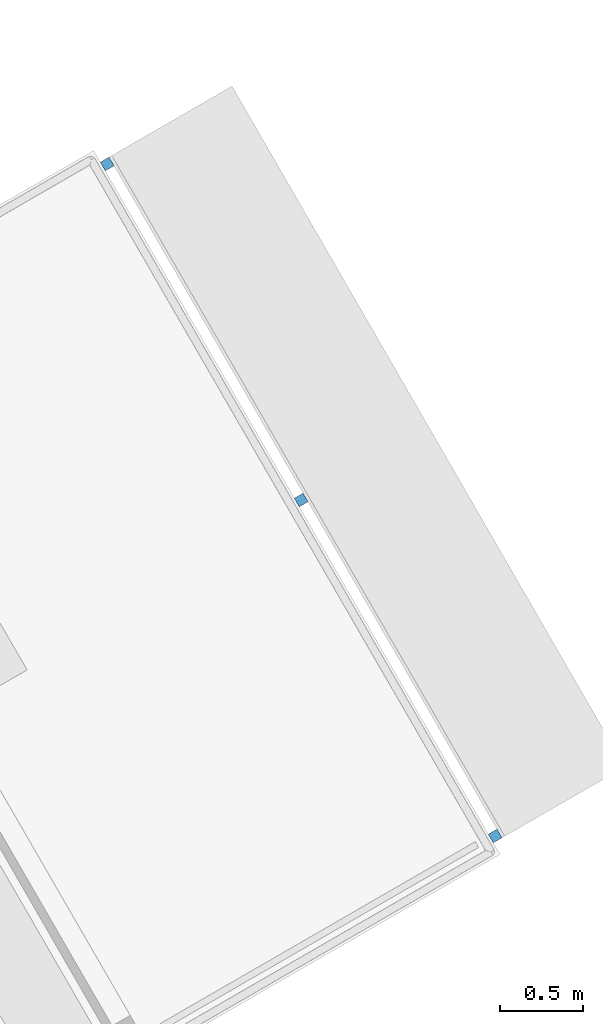
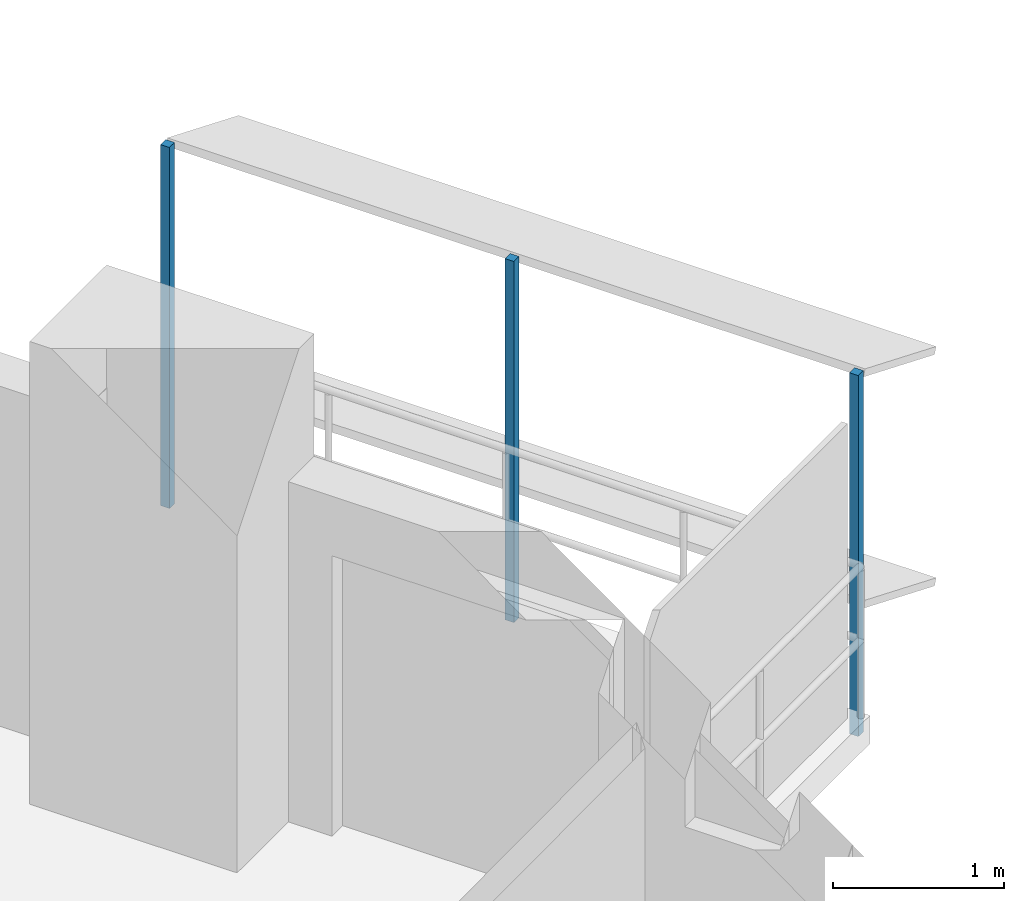
# One storey, part 10 of 13: 3 discrete accessories.
"""IFC4 building model written with IfcOpenShell, lengths in metres."""

from ifc_helpers import new_model, si_unit, direction, frame, origin, origin_2d, place, context, subcontext, project, spatial, rectangle, extrude, material, type_object, element, save


model = new_model("IFC4")

# Units and contexts
model_context = context("Model", 3, precision=1e-05, world=origin(), true_north=direction((0.0, 1.0)))
body_context = subcontext(model_context, "Body", "Model", "MODEL_VIEW")
ifc_project = project(units=[si_unit("LENGTHUNIT", "METRE"), si_unit("AREAUNIT", "SQUARE_METRE"), si_unit("VOLUMEUNIT", "CUBIC_METRE"), si_unit("PLANEANGLEUNIT", "RADIAN"), si_unit("MASSUNIT", "GRAM", prefix="KILO")], contexts=[model_context])

# Site, building, storey
site_placement = place(None, origin())
site = spatial("IfcSite", under=ifc_project, at=site_placement, CompositionType="ELEMENT")
building_placement = place(site_placement, origin())
building = spatial("IfcBuilding", under=site, at=building_placement, Name="Nakaniwa Court", CompositionType="ELEMENT")
storey_placement = place(building_placement, frame((0.0, 0.0, 84.300048828125)))
storey = spatial("IfcBuildingStorey", under=building, at=storey_placement, Name="L21", CompositionType="ELEMENT", Elevation=84.300048828125)

# Discrete accessories
ifc_material = material(Name="Black powder-coated steel bracket S275", Category="steel")
discrete_accessory_type = type_object("IfcDiscreteAccessoryType", Name="Black metal louvre bracket", PredefinedType="BRACKET", material=ifc_material)
for number, where, z_axis, x_axis, name in (
    (1, (104.280029296875, 90.8056640625, -0.22998046875), (0.0, 0.0, 1.0), (-0.499974304289, 0.866040238702, 0.0), "L21 louvre bracket 01 1"),
    (2, (103.118408203125, 92.817626953125, -0.22998046875), (0.0, 0.0, 1.0), (-0.499974304289, 0.866040238702, 0.0), "L21 louvre bracket 01 2"),
    (3, (101.956787109375, 94.829833984375, -0.22998046875), (0.0, 0.0, 1.0), (-0.499974304289, 0.866040238702, 0.0), "L21 louvre bracket 01 3"),
):
    element("IfcDiscreteAccessory", number, at=place(storey_placement, frame(where, z_axis=z_axis, x_axis=x_axis)), inside=storey, type_object=discrete_accessory_type, Name=name, PredefinedType="BRACKET", context=body_context, shape_type="SweptSolid", body=[
        extrude(rectangle(XDim=0.06005859375, YDim=0.06005859375, at=origin_2d()), origin(), (0.0, 0.0, 1.0), 2.5751953125),
    ])

save(model, "model.ifc")
